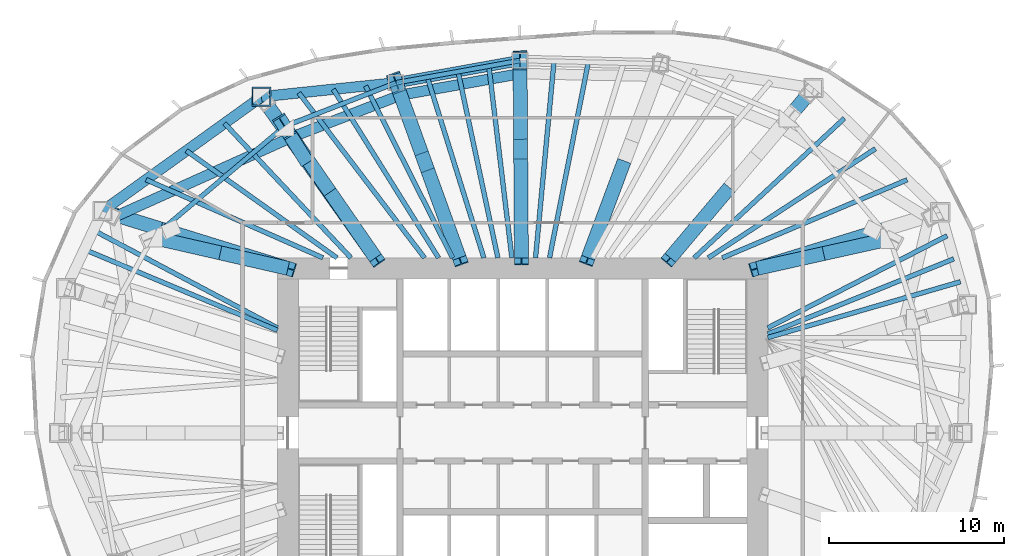
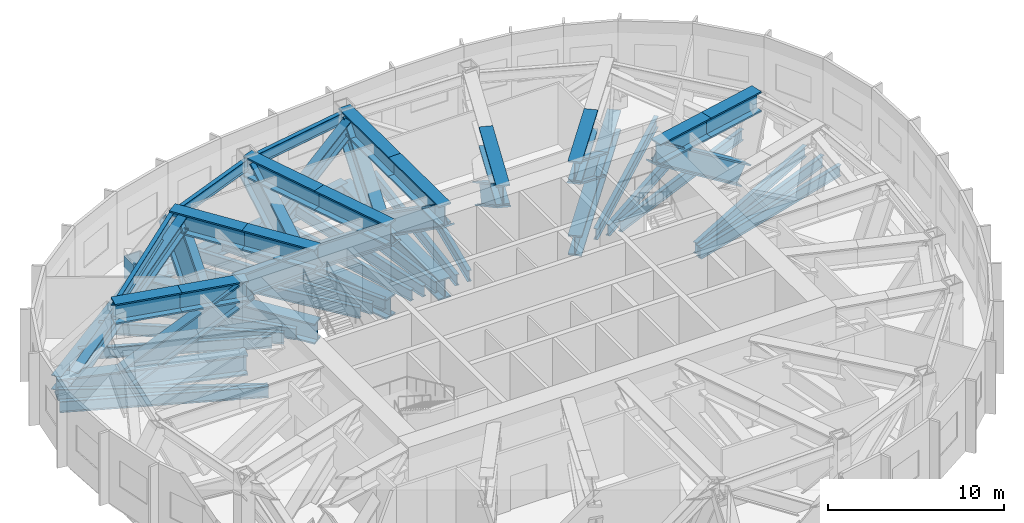
# One storey, part 4 of 11: 34 members, 22 beams.
"""IFC4 building model written with IfcOpenShell, lengths in metres."""

from ifc_helpers import new_model, si_unit, direction, frame, origin, origin_2d, place, context, subcontext, project, spatial, hollow_rectangle, i_section, extrude, material, material_profile, profile_set, type_object, element, save


model = new_model("IFC4")

# Units and contexts
model_context = context("Model", 3, precision=1e-05, world=origin(), true_north=direction((0.0, 1.0)))
body_context = subcontext(model_context, "Body", "Model", "MODEL_VIEW")
ifc_project = project(units=[si_unit("LENGTHUNIT", "METRE"), si_unit("AREAUNIT", "SQUARE_METRE"), si_unit("VOLUMEUNIT", "CUBIC_METRE"), si_unit("PLANEANGLEUNIT", "RADIAN"), si_unit("MASSUNIT", "GRAM", prefix="KILO")], contexts=[model_context])

# Site, building, storey
site_placement = place(None, origin())
site = spatial("IfcSite", under=ifc_project, at=site_placement, CompositionType="ELEMENT")
building_placement = place(site_placement, origin())
building = spatial("IfcBuilding", under=site, at=building_placement, Name="Ghaith Harvest Tower", CompositionType="ELEMENT")
storey_placement = place(building_placement, frame((0.0, 0.0, 266.199951171875)))
storey = spatial("IfcBuildingStorey", under=building, at=storey_placement, Name="L59", CompositionType="ELEMENT", Elevation=266.199951171875)

# Members
ifc_material_1 = material(Name="Steel ASTM A992 Grade 50", Category="steel")
ifc_material_profile_1 = material_profile(ifc_material_1, i_section(OverallWidth=0.26806640625, OverallDepth=0.77001953125, WebThickness=0.015625, FlangeThickness=0.025390625, at=origin_2d()), Name="W760X196")
ifc_profile_set_1 = profile_set([ifc_material_profile_1], Name="Steel ASTM A992 Grade 50")
member_type_1 = type_object("IfcMemberType", Name="BC760-196 W760X196", PredefinedType="CHORD", material=ifc_profile_set_1)
member_1_placement = place(storey_placement, frame((-0.14599609375, 21.27099609375, 4.130126953125), z_axis=(-0.984177047684, -0.177187863051, 0.0), x_axis=(0.177187863051, -0.984177047684, 0.0)))
element("IfcMember", 1, at=member_1_placement, inside=storey, type_object=member_type_1, Name="Belt truss BT06 top chord", PredefinedType="CHORD", context=body_context, shape_type="SweptSolid", body=[
    extrude(i_section(OverallWidth=0.26806640625, OverallDepth=0.77001953125, WebThickness=0.015625, FlangeThickness=0.025390625, at=origin_2d()), origin(), (0.0, 0.0, 1.0), 7.189697265625),
])
member_2_placement = place(storey_placement, frame((-7.221923828125, 19.9970703125, 4.130126953125), z_axis=(-0.931322768207, -0.364194867371, 0.0), x_axis=(0.364194867371, -0.931322768207, 0.0)))
element("IfcMember", 2, at=member_2_placement, inside=storey, type_object=member_type_1, Name="Belt truss BT07 top chord", PredefinedType="CHORD", context=body_context, shape_type="SweptSolid", body=[
    extrude(i_section(OverallWidth=0.26806640625, OverallDepth=0.77001953125, WebThickness=0.015625, FlangeThickness=0.025390625, at=origin_2d()), origin(), (0.0, 0.0, 1.0), 6.843017578125),
])
member_3_placement = place(storey_placement, frame((-13.594970703125, 17.5048828125, 4.130126953125), z_axis=(-0.765021818761, -0.64400436087, 0.0), x_axis=(0.64400436087, -0.765021818761, 0.0)))
element("IfcMember", 3, at=member_3_placement, inside=storey, type_object=member_type_1, Name="Belt truss BT08 top chord", PredefinedType="CHORD", context=body_context, shape_type="SweptSolid", body=[
    extrude(i_section(OverallWidth=0.26806640625, OverallDepth=0.77001953125, WebThickness=0.015625, FlangeThickness=0.025390625, at=origin_2d()), origin(), (0.0, 0.0, 1.0), 9.8427734375),
])
ifc_material_2 = material(Name="Steel S460", Category="steel")
ifc_material_profile_2 = material_profile(ifc_material_2, i_section(OverallWidth=0.60009765625, OverallDepth=0.89990234375, WebThickness=0.031982421875, FlangeThickness=0.06396484375, at=origin_2d()), Name="PG900X600X32X64")
ifc_profile_set_2 = profile_set([ifc_material_profile_2], Name="Steel S460")
member_type_2 = type_object("IfcMemberType", Name="BD900 PG900X600X32X64", PredefinedType="BRACE", material=ifc_profile_set_2)
member_4_placement = place(storey_placement, frame((-0.140869140625, 20.52099609375, 4.130126953125), z_axis=(-0.79126015842, -0.142512290612, -0.594640739204), x_axis=(0.177255958658, -0.984164785552, 0.0)))
element("IfcMember", 4, at=member_4_placement, inside=storey, type_object=member_type_2, Name="Belt truss BT06 diagonal", PredefinedType="BRACE", context=body_context, shape_type="SweptSolid", body=[
    extrude(i_section(OverallWidth=0.60009765625, OverallDepth=0.89990234375, WebThickness=0.031982421875, FlangeThickness=0.06396484375, at=origin_2d()), origin(), (0.0, 0.0, 1.0), 8.627197265625),
])
member_5_placement = place(storey_placement, frame((-6.96728515625, 19.29150390625, -1.0), z_axis=(-0.737088147301, -0.284296675268, 0.613087647518), x_axis=(0.359862423583, -0.933005378384, 0.0)))
element("IfcMember", 5, at=member_5_placement, inside=storey, type_object=member_type_2, Name="Belt truss BT07 diagonal", PredefinedType="BRACE", context=body_context, shape_type="SweptSolid", body=[
    extrude(i_section(OverallWidth=0.60009765625, OverallDepth=0.89990234375, WebThickness=0.031982421875, FlangeThickness=0.06396484375, at=origin_2d()), origin(), (0.0, 0.0, 1.0), 8.36767578125),
])
member_6_placement = place(storey_placement, frame((-13.135009765625, 16.91259765625, 4.130126953125), z_axis=(-0.82870974167, -0.372969030873, -0.417293980391), x_axis=(0.410410108025, -0.911901060001, 0.0)))
element("IfcMember", 6, at=member_6_placement, inside=storey, type_object=member_type_2, Name="Belt truss BT08 diagonal", PredefinedType="BRACE", context=body_context, shape_type="SweptSolid", body=[
    extrude(i_section(OverallWidth=0.60009765625, OverallDepth=0.89990234375, WebThickness=0.031982421875, FlangeThickness=0.06396484375, at=origin_2d()), origin(), (0.0, 0.0, 1.0), 12.293701171875),
])

# Beams
ifc_material_3 = material(Name="Steel S460", Category="steel")
ifc_material_profile_3 = material_profile(ifc_material_3, i_section(OverallWidth=0.60009765625, OverallDepth=1.0, WebThickness=0.02490234375, FlangeThickness=0.050048828125, at=origin_2d()), Name="PG1000X600X25X50")
ifc_profile_set_3 = profile_set([ifc_material_profile_3], Name="Steel S460")
beam_type_1 = type_object("IfcBeamType", Name="EPG1000 PG1000X600X25X50", PredefinedType="SPANDREL", material=ifc_profile_set_3)
beam_1_placement = place(storey_placement, frame((-0.14599609375, 21.27099609375, -0.800048828125), z_axis=(-0.984177047684, -0.177187863051, 0.0), x_axis=(0.177187863051, -0.984177047684, 0.0)))
element("IfcBeam", 7, at=beam_1_placement, inside=storey, type_object=beam_type_1, Name="Edge beam E06 L59", PredefinedType="SPANDREL", context=body_context, shape_type="SweptSolid", body=[
    extrude(i_section(OverallWidth=0.60009765625, OverallDepth=1.0, WebThickness=0.02490234375, FlangeThickness=0.050048828125, at=origin_2d()), origin(), (0.0, 0.0, 1.0), 7.189697265625),
])
beam_2_placement = place(storey_placement, frame((-7.221923828125, 19.9970703125, -0.800048828125), z_axis=(-0.994669141618, -0.103117887451, 0.0), x_axis=(0.103117887451, -0.994669141618, 0.0)))
element("IfcBeam", 8, at=beam_2_placement, inside=storey, type_object=beam_type_1, Name="Edge beam E07 L59", PredefinedType="SPANDREL", context=body_context, shape_type="SweptSolid", body=[
    extrude(i_section(OverallWidth=0.60009765625, OverallDepth=1.0, WebThickness=0.02490234375, FlangeThickness=0.050048828125, at=origin_2d()), origin(), (0.0, 0.0, 1.0), 7.730224609375),
])
beam_3_placement = place(storey_placement, frame((-14.910888671875, 19.199951171875, -0.800048828125), z_axis=(-0.812050311838, -0.583587432219, 0.0), x_axis=(0.583587432219, -0.812050311838, 0.0)))
element("IfcBeam", 9, at=beam_3_placement, inside=storey, type_object=beam_type_1, Name="Edge beam E08 L59", PredefinedType="SPANDREL", context=body_context, shape_type="SweptSolid", body=[
    extrude(i_section(OverallWidth=0.60009765625, OverallDepth=1.0, WebThickness=0.02490234375, FlangeThickness=0.050048828125, at=origin_2d()), origin(), (0.0, 0.0, 1.0), 11.175537109375),
])
ifc_material_4 = material(Name="Steel ASTM A992 Grade 50", Category="steel")
ifc_material_profile_4 = material_profile(ifc_material_4, i_section(OverallWidth=0.26806640625, OverallDepth=0.77001953125, WebThickness=0.015625, FlangeThickness=0.025390625, at=origin_2d()), Name="W760X196")
ifc_profile_set_4 = profile_set([ifc_material_profile_4], Name="Steel ASTM A992 Grade 50")
beam_type_2 = type_object("IfcBeamType", Name="J760-196 W760X196", PredefinedType="JOIST", material=ifc_profile_set_4)
beam_4_placement = place(storey_placement, frame((14.0, 5.4462890625, -0.68505859375), z_axis=(0.960451827804, 0.278446200311, 0.0), x_axis=(-0.278446200311, 0.960451827804, 0.0)))
element("IfcBeam", 10, at=beam_4_placement, inside=storey, type_object=beam_type_2, Name="Joist J02.1 L59", PredefinedType="JOIST", context=body_context, shape_type="SweptSolid", body=[
    extrude(i_section(OverallWidth=0.26806640625, OverallDepth=0.77001953125, WebThickness=0.015625, FlangeThickness=0.025390625, at=origin_2d()), origin(), (0.0, 0.0, 1.0), 11.45458984375),
])
beam_5_placement = place(storey_placement, frame((14.0, 5.653564453125, -0.68505859375), z_axis=(0.927250374508, 0.37444190868, 0.0), x_axis=(-0.37444190868, 0.927250374508, 0.0)))
element("IfcBeam", 11, at=beam_5_placement, inside=storey, type_object=beam_type_2, Name="Joist J02.2 L59", PredefinedType="JOIST", context=body_context, shape_type="SweptSolid", body=[
    extrude(i_section(OverallWidth=0.26806640625, OverallDepth=0.77001953125, WebThickness=0.015625, FlangeThickness=0.025390625, at=origin_2d()), origin(), (0.0, 0.0, 1.0), 11.45654296875),
])
beam_6_placement = place(storey_placement, frame((14.0, 6.0, -0.68505859375), z_axis=(0.889345695298, 0.457235425416, 0.0), x_axis=(-0.457235425416, 0.889345695298, 0.0)))
element("IfcBeam", 12, at=beam_6_placement, inside=storey, type_object=beam_type_2, Name="Joist J02.3 L59", PredefinedType="JOIST", context=body_context, shape_type="SweptSolid", body=[
    extrude(i_section(OverallWidth=0.26806640625, OverallDepth=0.77001953125, WebThickness=0.015625, FlangeThickness=0.025390625, at=origin_2d()), origin(), (0.0, 0.0, 1.0), 11.5146484375),
])
beam_7_placement = place(storey_placement, frame((11.39990234375, 10.0, -0.68505859375), z_axis=(0.92127415213, 0.388913790727, 0.0), x_axis=(-0.388913790727, 0.92127415213, 0.0)))
element("IfcBeam", 13, at=beam_7_placement, inside=storey, type_object=beam_type_2, Name="Joist J03.1 L59", PredefinedType="JOIST", context=body_context, shape_type="SweptSolid", body=[
    extrude(i_section(OverallWidth=0.26806640625, OverallDepth=0.77001953125, WebThickness=0.015625, FlangeThickness=0.025390625, at=origin_2d()), origin(), (0.0, 0.0, 1.0), 11.462646484375),
])
beam_8_placement = place(storey_placement, frame((10.60009765625, 10.0, -0.68505859375), z_axis=(0.837329320942, 0.546698827775, 0.0), x_axis=(-0.546698827775, 0.837329320942, 0.0)))
element("IfcBeam", 14, at=beam_8_placement, inside=storey, type_object=beam_type_2, Name="Joist J03.2 L59", PredefinedType="JOIST", context=body_context, shape_type="SweptSolid", body=[
    extrude(i_section(OverallWidth=0.26806640625, OverallDepth=0.77001953125, WebThickness=0.015625, FlangeThickness=0.025390625, at=origin_2d()), origin(), (0.0, 0.0, 1.0), 11.40087890625),
])
beam_9_placement = place(storey_placement, frame((9.800048828125, 10.0, -0.68505859375), z_axis=(0.732519288302, 0.680746275984, 0.0), x_axis=(-0.680746275984, 0.732519288302, 0.0)))
element("IfcBeam", 15, at=beam_9_placement, inside=storey, type_object=beam_type_2, Name="Joist J03.3 L59", PredefinedType="JOIST", context=body_context, shape_type="SweptSolid", body=[
    extrude(i_section(OverallWidth=0.26806640625, OverallDepth=0.77001953125, WebThickness=0.015625, FlangeThickness=0.025390625, at=origin_2d()), origin(), (0.0, 0.0, 1.0), 11.7041015625),
])
beam_10_placement = place(storey_placement, frame((1.538330078125, 10.0, -0.68505859375), z_axis=(0.194467299131, 0.980909001676, 0.0), x_axis=(-0.980909001676, 0.194467299131, 0.0)))
element("IfcBeam", 16, at=beam_10_placement, inside=storey, type_object=beam_type_2, Name="Joist J05.2 L59", PredefinedType="JOIST", context=body_context, shape_type="SweptSolid", body=[
    extrude(i_section(OverallWidth=0.26806640625, OverallDepth=0.77001953125, WebThickness=0.015625, FlangeThickness=0.025390625, at=origin_2d()), origin(), (0.0, 0.0, 1.0), 11.391845703125),
])
beam_11_placement = place(storey_placement, frame((0.73828125, 10.0, -0.68505859375), z_axis=(0.093607062293, 0.995609219468, 0.0), x_axis=(-0.995609219468, 0.093607062293, 0.0)))
element("IfcBeam", 17, at=beam_11_placement, inside=storey, type_object=beam_type_2, Name="Joist J05.3 L59", PredefinedType="JOIST", context=body_context, shape_type="SweptSolid", body=[
    extrude(i_section(OverallWidth=0.26806640625, OverallDepth=0.77001953125, WebThickness=0.015625, FlangeThickness=0.025390625, at=origin_2d()), origin(), (0.0, 0.0, 1.0), 11.2724609375),
])
beam_12_placement = place(storey_placement, frame((-0.61181640625, 10.0, -0.68505859375), z_axis=(-0.119358199903, 0.9928512578, 0.0), x_axis=(-0.9928512578, -0.119358199903, 0.0)))
element("IfcBeam", 18, at=beam_12_placement, inside=storey, type_object=beam_type_2, Name="Joist J06.1 L59", PredefinedType="JOIST", context=body_context, shape_type="SweptSolid", body=[
    extrude(i_section(OverallWidth=0.26806640625, OverallDepth=0.77001953125, WebThickness=0.015625, FlangeThickness=0.025390625, at=origin_2d()), origin(), (0.0, 0.0, 1.0), 11.029052734375),
])
beam_13_placement = place(storey_placement, frame((-1.411865234375, 10.0, -0.68505859375), z_axis=(-0.209026140978, 0.977910053322, 0.0), x_axis=(-0.977910053322, -0.209026140978, 0.0)))
element("IfcBeam", 19, at=beam_13_placement, inside=storey, type_object=beam_type_2, Name="Joist J06.2 L59", PredefinedType="JOIST", context=body_context, shape_type="SweptSolid", body=[
    extrude(i_section(OverallWidth=0.26806640625, OverallDepth=0.77001953125, WebThickness=0.015625, FlangeThickness=0.025390625, at=origin_2d()), origin(), (0.0, 0.0, 1.0), 10.8740234375),
])
beam_14_placement = place(storey_placement, frame((-2.2119140625, 10.0, -0.68505859375), z_axis=(-0.298674860327, 0.954354927587, 0.0), x_axis=(-0.954354927587, -0.298674860327, 0.0)))
element("IfcBeam", 20, at=beam_14_placement, inside=storey, type_object=beam_type_2, Name="Joist J06.3 L59", PredefinedType="JOIST", context=body_context, shape_type="SweptSolid", body=[
    extrude(i_section(OverallWidth=0.26806640625, OverallDepth=0.77001953125, WebThickness=0.015625, FlangeThickness=0.025390625, at=origin_2d()), origin(), (0.0, 0.0, 1.0), 10.81103515625),
])
beam_15_placement = place(storey_placement, frame((-4.0, 10.0, -0.68505859375), z_axis=(-0.451646219201, 0.892197115374, 0.0), x_axis=(-0.892197115374, -0.451646219201, 0.0)))
element("IfcBeam", 21, at=beam_15_placement, inside=storey, type_object=beam_type_2, Name="Joist J07.1 L59", PredefinedType="JOIST", context=body_context, shape_type="SweptSolid", body=[
    extrude(i_section(OverallWidth=0.26806640625, OverallDepth=0.77001953125, WebThickness=0.015625, FlangeThickness=0.025390625, at=origin_2d()), origin(), (0.0, 0.0, 1.0), 11.001953125),
])
beam_16_placement = place(storey_placement, frame((-4.800048828125, 10.0, -0.68505859375), z_axis=(-0.529627564093, 0.848230300893, 0.0), x_axis=(-0.848230300893, -0.529627564093, 0.0)))
element("IfcBeam", 22, at=beam_16_placement, inside=storey, type_object=beam_type_2, Name="Joist J07.2 L59", PredefinedType="JOIST", context=body_context, shape_type="SweptSolid", body=[
    extrude(i_section(OverallWidth=0.26806640625, OverallDepth=0.77001953125, WebThickness=0.015625, FlangeThickness=0.025390625, at=origin_2d()), origin(), (0.0, 0.0, 1.0), 11.34716796875),
])
beam_17_placement = place(storey_placement, frame((-5.60009765625, 10.0, -0.68505859375), z_axis=(-0.605976135502, 0.795482823952, 0.0), x_axis=(-0.795482823952, -0.605976135502, 0.0)))
element("IfcBeam", 23, at=beam_17_placement, inside=storey, type_object=beam_type_2, Name="Joist J07.3 L59", PredefinedType="JOIST", context=body_context, shape_type="SweptSolid", body=[
    extrude(i_section(OverallWidth=0.26806640625, OverallDepth=0.77001953125, WebThickness=0.015625, FlangeThickness=0.025390625, at=origin_2d()), origin(), (0.0, 0.0, 1.0), 11.84326171875),
])
beam_18_placement = place(storey_placement, frame((-9.800048828125, 10.0, -0.68505859375), z_axis=(-0.68496015818, 0.728580525203, 0.0), x_axis=(-0.728580525203, -0.68496015818, 0.0)))
element("IfcBeam", 24, at=beam_18_placement, inside=storey, type_object=beam_type_2, Name="Joist J08.1 L59", PredefinedType="JOIST", context=body_context, shape_type="SweptSolid", body=[
    extrude(i_section(OverallWidth=0.26806640625, OverallDepth=0.77001953125, WebThickness=0.015625, FlangeThickness=0.025390625, at=origin_2d()), origin(), (0.0, 0.0, 1.0), 10.544677734375),
])
beam_19_placement = place(storey_placement, frame((-10.60009765625, 10.0, -0.68505859375), z_axis=(-0.814837070547, 0.579690045164, 0.0), x_axis=(-0.579690045164, -0.814837070547, 0.0)))
element("IfcBeam", 25, at=beam_19_placement, inside=storey, type_object=beam_type_2, Name="Joist J08.2 L59", PredefinedType="JOIST", context=body_context, shape_type="SweptSolid", body=[
    extrude(i_section(OverallWidth=0.26806640625, OverallDepth=0.77001953125, WebThickness=0.015625, FlangeThickness=0.025390625, at=origin_2d()), origin(), (0.0, 0.0, 1.0), 10.5537109375),
])
beam_20_placement = place(storey_placement, frame((-11.39990234375, 10.0, -0.68505859375), z_axis=(-0.914561290029, 0.40444733499, 0.0), x_axis=(-0.40444733499, -0.914561290029, 0.0)))
element("IfcBeam", 26, at=beam_20_placement, inside=storey, type_object=beam_type_2, Name="Joist J08.3 L59", PredefinedType="JOIST", context=body_context, shape_type="SweptSolid", body=[
    extrude(i_section(OverallWidth=0.26806640625, OverallDepth=0.77001953125, WebThickness=0.015625, FlangeThickness=0.025390625, at=origin_2d()), origin(), (0.0, 0.0, 1.0), 11.041748046875),
])
beam_21_placement = place(storey_placement, frame((-14.0, 6.0, -0.68505859375), z_axis=(-0.883192517405, 0.469010636553, 0.0), x_axis=(-0.469010636553, -0.883192517405, 0.0)))
element("IfcBeam", 27, at=beam_21_placement, inside=storey, type_object=beam_type_2, Name="Joist J09.1 L59", PredefinedType="JOIST", context=body_context, shape_type="SweptSolid", body=[
    extrude(i_section(OverallWidth=0.26806640625, OverallDepth=0.77001953125, WebThickness=0.015625, FlangeThickness=0.025390625, at=origin_2d()), origin(), (0.0, 0.0, 1.0), 11.893310546875),
])
beam_22_placement = place(storey_placement, frame((-14.0, 5.862548828125, -0.68505859375), z_axis=(-0.922380898158, 0.386281605455, 0.0), x_axis=(-0.386281605455, -0.922380898158, 0.0)))
element("IfcBeam", 28, at=beam_22_placement, inside=storey, type_object=beam_type_2, Name="Joist J09.2 L59", PredefinedType="JOIST", context=body_context, shape_type="SweptSolid", body=[
    extrude(i_section(OverallWidth=0.26806640625, OverallDepth=0.77001953125, WebThickness=0.015625, FlangeThickness=0.025390625, at=origin_2d()), origin(), (0.0, 0.0, 1.0), 11.94970703125),
])

# Members
ifc_material_5 = material(Name="Steel S460M", Category="steel")
ifc_material_profile_5 = material_profile(ifc_material_5, hollow_rectangle(XDim=1.10009765625, YDim=1.10009765625, WallThickness=0.080078125, at=origin_2d()), Name="BOX1100X1100X80")
ifc_profile_set_5 = profile_set([ifc_material_profile_5], Name="Steel S460M")
member_type_3 = type_object("IfcMemberType", Name="KN1 BOX1100X1100X80", PredefinedType="USERDEFINED", material=ifc_profile_set_5)
member_7_placement = place(storey_placement, frame((-14.910888671875, 19.199951171875, -0.77490234375), z_axis=(0.0, 0.0, 1.0), x_axis=(1.0, 0.0, 0.0)))
element("IfcMember", 29, at=member_7_placement, inside=storey, type_object=member_type_3, Name="Raked column kink node C08 base L59", ObjectType="KINK NODE", PredefinedType="USERDEFINED", context=body_context, shape_type="SweptSolid", body=[
    extrude(hollow_rectangle(XDim=1.10009765625, YDim=1.10009765625, WallThickness=0.080078125, at=origin_2d()), origin(), (0.0, 0.0, 1.0), 1.550048828125),
])
ifc_material_6 = material(Name="Steel S460", Category="steel")
ifc_material_profile_6 = material_profile(ifc_material_6, i_section(OverallWidth=0.800048828125, OverallDepth=1.39990234375, WebThickness=0.050048828125, FlangeThickness=0.10009765625, at=origin_2d()), Name="PG1400X800X50X100")
ifc_profile_set_6 = profile_set([ifc_material_profile_6], Name="Steel S460")
member_type_4 = type_object("IfcMemberType", Name="OC1400 PG1400X800X50X100", PredefinedType="CHORD", material=ifc_profile_set_6)
for number, where, z_axis, x_axis, name in (
    (30, (13.39990234375, 9.39990234375, 4.130126953125), (0.976072966565, 0.217443243035, 0.0), (-0.217443243035, 0.976072966565, 0.0), "Outrigger truss OT03 top chord 1"),
    (31, (17.1884765625, 10.243896484375, 4.130126953125), (0.976072966565, 0.217443243035, 0.0), (-0.217443243035, 0.976072966565, 0.0), "Outrigger truss OT03 top chord 2"),
):
    element("IfcMember", number, at=place(storey_placement, frame(where, z_axis=z_axis, x_axis=x_axis)), inside=storey, type_object=member_type_4, Name=name, PredefinedType="CHORD", context=body_context, shape_type="SweptSolid", body=[
        extrude(i_section(OverallWidth=0.800048828125, OverallDepth=1.39990234375, WebThickness=0.050048828125, FlangeThickness=0.10009765625, at=origin_2d()), origin(), (0.0, 0.0, 1.0), 3.88134765625),
    ])
member_8_placement = place(storey_placement, frame((8.4326171875, 10.0, -1.0), z_axis=(0.644644245772, 0.764482698557, 0.0), x_axis=(-0.764482698557, 0.644644245772, 0.0)))
element("IfcMember", 32, at=member_8_placement, inside=storey, type_object=member_type_4, Name="Outrigger truss OT04 bottom chord", PredefinedType="CHORD", context=body_context, shape_type="SweptSolid", body=[
    extrude(i_section(OverallWidth=0.800048828125, OverallDepth=1.39990234375, WebThickness=0.050048828125, FlangeThickness=0.10009765625, at=origin_2d()), origin(), (0.0, 0.0, 1.0), 12.681884765625),
])
member_9_placement = place(storey_placement, frame((8.4326171875, 10.0, 4.130126953125), z_axis=(0.644662835997, 0.764467022104, 0.0), x_axis=(-0.764467022104, 0.644662835997, 0.0)))
element("IfcMember", 33, at=member_9_placement, inside=storey, type_object=member_type_4, Name="Outrigger truss OT04 top chord 1", PredefinedType="CHORD", context=body_context, shape_type="SweptSolid", body=[
    extrude(i_section(OverallWidth=0.800048828125, OverallDepth=1.39990234375, WebThickness=0.050048828125, FlangeThickness=0.10009765625, at=origin_2d()), origin(), (0.0, 0.0, 1.0), 5.247314453125),
])
member_10_placement = place(storey_placement, frame((3.73828125, 10.0, 4.130126953125), z_axis=(0.350213357326, 0.936669954867, 0.0), x_axis=(-0.936669954867, 0.350213357326, 0.0)))
element("IfcMember", 34, at=member_10_placement, inside=storey, type_object=member_type_4, Name="Outrigger truss OT05 top chord 1", PredefinedType="CHORD", context=body_context, shape_type="SweptSolid", body=[
    extrude(i_section(OverallWidth=0.800048828125, OverallDepth=1.39990234375, WebThickness=0.050048828125, FlangeThickness=0.10009765625, at=origin_2d()), origin(), (0.0, 0.0, 1.0), 5.91015625),
])
member_11_placement = place(storey_placement, frame((-0.068359375, 10.0, -1.0), z_axis=(-0.006888022705, 0.99997627729, 0.0), x_axis=(-0.99997627729, -0.006888022705, 0.0)))
element("IfcMember", 35, at=member_11_placement, inside=storey, type_object=member_type_4, Name="Outrigger truss OT06 bottom chord", PredefinedType="CHORD", context=body_context, shape_type="SweptSolid", body=[
    extrude(i_section(OverallWidth=0.800048828125, OverallDepth=1.39990234375, WebThickness=0.050048828125, FlangeThickness=0.10009765625, at=origin_2d()), origin(), (0.0, 0.0, 1.0), 11.271240234375),
])
for number, where, z_axis, x_axis, name in (
    (36, (-0.068359375, 10.0, 4.130126953125), (-0.006888022705, 0.99997627729, 0.0), (-0.99997627729, -0.006888022705, 0.0), "Outrigger truss OT06 top chord 1"),
    (37, (-0.107177734375, 15.635498046875, 4.130126953125), (-0.006888022705, 0.99997627729, 0.0), (-0.99997627729, -0.006888022705, 0.0), "Outrigger truss OT06 top chord 2"),
):
    element("IfcMember", number, at=place(storey_placement, frame(where, z_axis=z_axis, x_axis=x_axis)), inside=storey, type_object=member_type_4, Name=name, PredefinedType="CHORD", context=body_context, shape_type="SweptSolid", body=[
        extrude(i_section(OverallWidth=0.800048828125, OverallDepth=1.39990234375, WebThickness=0.050048828125, FlangeThickness=0.10009765625, at=origin_2d()), origin(), (0.0, 0.0, 1.0), 5.6357421875),
    ])
member_12_placement = place(storey_placement, frame((-3.61181640625, 10.0, -1.0), z_axis=(-0.339648979266, 0.940552269086, 0.0), x_axis=(-0.940552269086, -0.339648979266, 0.0)))
element("IfcMember", 38, at=member_12_placement, inside=storey, type_object=member_type_4, Name="Outrigger truss OT07 bottom chord", PredefinedType="CHORD", context=body_context, shape_type="SweptSolid", body=[
    extrude(i_section(OverallWidth=0.800048828125, OverallDepth=1.39990234375, WebThickness=0.050048828125, FlangeThickness=0.10009765625, at=origin_2d()), origin(), (0.0, 0.0, 1.0), 10.62890625),
])
for number, where, z_axis, x_axis, name in (
    (39, (-3.61181640625, 10.0, 4.130126953125), (-0.339669298673, 0.940544931164, 0.0), (-0.940544931164, -0.339669298673, 0.0), "Outrigger truss OT07 top chord 1"),
    (40, (-5.4169921875, 14.99853515625, 4.130126953125), (-0.339628659383, 0.940559606684, 0.0), (-0.940559606684, -0.339628659383, 0.0), "Outrigger truss OT07 top chord 2"),
):
    element("IfcMember", number, at=place(storey_placement, frame(where, z_axis=z_axis, x_axis=x_axis)), inside=storey, type_object=member_type_4, Name=name, PredefinedType="CHORD", context=body_context, shape_type="SweptSolid", body=[
        extrude(i_section(OverallWidth=0.800048828125, OverallDepth=1.39990234375, WebThickness=0.050048828125, FlangeThickness=0.10009765625, at=origin_2d()), origin(), (0.0, 0.0, 1.0), 5.314453125),
    ])
member_13_placement = place(storey_placement, frame((-8.39990234375, 10.0, -1.0), z_axis=(-0.577683734365, 0.816260683268, 0.0), x_axis=(-0.816260683268, -0.577683734365, 0.0)))
element("IfcMember", 41, at=member_13_placement, inside=storey, type_object=member_type_4, Name="Outrigger truss OT08 bottom chord", PredefinedType="CHORD", context=body_context, shape_type="SweptSolid", body=[
    extrude(i_section(OverallWidth=0.800048828125, OverallDepth=1.39990234375, WebThickness=0.050048828125, FlangeThickness=0.10009765625, at=origin_2d()), origin(), (0.0, 0.0, 1.0), 11.270751953125),
])
for number, where, z_axis, x_axis, name in (
    (42, (-8.39990234375, 10.0, 4.130126953125), (-0.569182161331, 0.822211449216, 0.0), (-0.822211449216, -0.569182161331, 0.0), "Outrigger truss OT08 top chord 1"),
    (43, (-10.99755859375, 13.75244140625, 4.130126953125), (-0.56914599566, 0.822236484002, 0.0), (-0.822236484002, -0.56914599566, 0.0), "Outrigger truss OT08 top chord 2"),
):
    element("IfcMember", number, at=place(storey_placement, frame(where, z_axis=z_axis, x_axis=x_axis)), inside=storey, type_object=member_type_4, Name=name, PredefinedType="CHORD", context=body_context, shape_type="SweptSolid", body=[
        extrude(i_section(OverallWidth=0.800048828125, OverallDepth=1.39990234375, WebThickness=0.050048828125, FlangeThickness=0.10009765625, at=origin_2d()), origin(), (0.0, 0.0, 1.0), 4.563720703125),
    ])
member_14_placement = place(storey_placement, frame((-13.39990234375, 9.39990234375, -1.0), z_axis=(-0.9552501773, 0.295799085137, 0.0), x_axis=(-0.295799085137, -0.9552501773, 0.0)))
element("IfcMember", 44, at=member_14_placement, inside=storey, type_object=member_type_4, Name="Outrigger truss OT09 bottom chord", PredefinedType="CHORD", context=body_context, shape_type="SweptSolid", body=[
    extrude(i_section(OverallWidth=0.800048828125, OverallDepth=1.39990234375, WebThickness=0.050048828125, FlangeThickness=0.10009765625, at=origin_2d()), origin(), (0.0, 0.0, 1.0), 11.08203125),
])
for number, where, z_axis, x_axis, name in (
    (45, (-13.39990234375, 9.39990234375, 4.130126953125), (-0.974848180196, 0.222869974576, 0.0), (-0.222869974576, -0.974848180196, 0.0), "Outrigger truss OT09 top chord 1"),
    (46, (-17.262451171875, 10.282958984375, 4.130126953125), (-0.974848180196, 0.222869974576, 0.0), (-0.222869974576, -0.974848180196, 0.0), "Outrigger truss OT09 top chord 2"),
):
    element("IfcMember", number, at=place(storey_placement, frame(where, z_axis=z_axis, x_axis=x_axis)), inside=storey, type_object=member_type_4, Name=name, PredefinedType="CHORD", context=body_context, shape_type="SweptSolid", body=[
        extrude(i_section(OverallWidth=0.800048828125, OverallDepth=1.39990234375, WebThickness=0.050048828125, FlangeThickness=0.10009765625, at=origin_2d()), origin(), (0.0, 0.0, 1.0), 3.962158203125),
    ])
ifc_material_7 = material(Name="Steel S460", Category="steel")
ifc_material_profile_7 = material_profile(ifc_material_7, i_section(OverallWidth=0.800048828125, OverallDepth=1.39990234375, WebThickness=0.050048828125, FlangeThickness=0.10009765625, at=origin_2d()), Name="PG1400X800X50X100")
ifc_profile_set_7 = profile_set([ifc_material_profile_7], Name="Steel S460")
member_type_5 = type_object("IfcMemberType", Name="OD1400 PG1400X800X50X100", PredefinedType="BRACE", material=ifc_profile_set_7)
member_15_placement = place(storey_placement, frame((13.39990234375, 9.39990234375, 4.130126953125), z_axis=(0.775138686581, 0.237850698746, -0.585309372615), x_axis=(-0.293349470124, 0.956005276334, 0.0)))
element("IfcMember", 47, at=member_15_placement, inside=storey, type_object=member_type_5, Name="Outrigger truss OT03 diagonal 1", PredefinedType="BRACE", context=body_context, shape_type="SweptSolid", body=[
    extrude(i_section(OverallWidth=0.800048828125, OverallDepth=1.39990234375, WebThickness=0.050048828125, FlangeThickness=0.10009765625, at=origin_2d()), origin(), (0.0, 0.0, 1.0), 8.764892578125),
])
member_16_placement = place(storey_placement, frame((8.4326171875, 10.0, 4.130126953125), z_axis=(0.547312292576, 0.649050119267, -0.528377892304), x_axis=(-0.764479392767, 0.644648166084, 0.0)))
element("IfcMember", 48, at=member_16_placement, inside=storey, type_object=member_type_5, Name="Outrigger truss OT04 diagonal 1", PredefinedType="BRACE", context=body_context, shape_type="SweptSolid", body=[
    extrude(i_section(OverallWidth=0.800048828125, OverallDepth=1.39990234375, WebThickness=0.050048828125, FlangeThickness=0.10009765625, at=origin_2d()), origin(), (0.0, 0.0, 1.0), 9.709228515625),
])
member_17_placement = place(storey_placement, frame((3.73828125, 10.0, 4.130126953125), z_axis=(0.291267115447, 0.778984941857, -0.555289048892), x_axis=(-0.936665649404, 0.35022487237, 0.0)))
element("IfcMember", 49, at=member_17_placement, inside=storey, type_object=member_type_5, Name="Outrigger truss OT05 diagonal 1", PredefinedType="BRACE", context=body_context, shape_type="SweptSolid", body=[
    extrude(i_section(OverallWidth=0.800048828125, OverallDepth=1.39990234375, WebThickness=0.050048828125, FlangeThickness=0.10009765625, at=origin_2d()), origin(), (0.0, 0.0, 1.0), 9.23876953125),
])
member_18_placement = place(storey_placement, frame((-0.068359375, 10.0, 4.130126953125), z_axis=(-0.005650448354, 0.819123933376, -0.573588750068), x_axis=(-0.99997620854, -0.006897996373, 0.0)))
element("IfcMember", 50, at=member_18_placement, inside=storey, type_object=member_type_5, Name="Outrigger truss OT06 diagonal 1", PredefinedType="BRACE", context=body_context, shape_type="SweptSolid", body=[
    extrude(i_section(OverallWidth=0.800048828125, OverallDepth=1.39990234375, WebThickness=0.050048828125, FlangeThickness=0.10009765625, at=origin_2d()), origin(), (0.0, 0.0, 1.0), 8.94384765625),
])
member_19_placement = place(storey_placement, frame((-0.118896484375, 17.326171875, -1.0), z_axis=(-0.004187518249, 0.60956684561, 0.792723612254), x_axis=(-0.999976404707, -0.006869499995, 0.0)))
element("IfcMember", 51, at=member_19_placement, inside=storey, type_object=member_type_5, Name="Outrigger truss OT06 diagonal 2", PredefinedType="BRACE", context=body_context, shape_type="SweptSolid", body=[
    extrude(i_section(OverallWidth=0.800048828125, OverallDepth=1.39990234375, WebThickness=0.050048828125, FlangeThickness=0.10009765625, at=origin_2d()), origin(), (0.0, 0.0, 1.0), 6.471435546875),
])
member_20_placement = place(storey_placement, frame((-3.61181640625, 10.0, 4.130126953125), z_axis=(-0.27270437162, 0.755128959117, -0.596164893971), x_axis=(-0.940546373631, -0.339665304454, 0.0)))
element("IfcMember", 52, at=member_20_placement, inside=storey, type_object=member_type_5, Name="Outrigger truss OT07 diagonal 1", PredefinedType="BRACE", context=body_context, shape_type="SweptSolid", body=[
    extrude(i_section(OverallWidth=0.800048828125, OverallDepth=1.39990234375, WebThickness=0.050048828125, FlangeThickness=0.10009765625, at=origin_2d()), origin(), (0.0, 0.0, 1.0), 8.605224609375),
])
member_21_placement = place(storey_placement, frame((-5.95849609375, 16.498046875, -1.0), z_axis=(-0.199373043391, 0.552157383165, 0.809550871647), x_axis=(-0.940563216999, -0.339618660896, 0.0)))
element("IfcMember", 53, at=member_21_placement, inside=storey, type_object=member_type_5, Name="Outrigger truss OT07 diagonal 2", PredefinedType="BRACE", context=body_context, shape_type="SweptSolid", body=[
    extrude(i_section(OverallWidth=0.800048828125, OverallDepth=1.39990234375, WebThickness=0.050048828125, FlangeThickness=0.10009765625, at=origin_2d()), origin(), (0.0, 0.0, 1.0), 6.3369140625),
])
member_22_placement = place(storey_placement, frame((-8.39990234375, 10.0, 4.130126953125), z_axis=(-0.473202326602, 0.668625196873, -0.57360256642), x_axis=(-0.816258882218, -0.577686279221, 0.0)))
element("IfcMember", 54, at=member_22_placement, inside=storey, type_object=member_type_5, Name="Outrigger truss OT08 diagonal 1", PredefinedType="BRACE", context=body_context, shape_type="SweptSolid", body=[
    extrude(i_section(OverallWidth=0.800048828125, OverallDepth=1.39990234375, WebThickness=0.050048828125, FlangeThickness=0.10009765625, at=origin_2d()), origin(), (0.0, 0.0, 1.0), 8.943603515625),
])
member_23_placement = place(storey_placement, frame((-12.632080078125, 15.97998046875, -1.0), z_axis=(-0.177070512086, 0.280421505702, 0.943403314012), x_axis=(-0.845540367687, -0.533911496983, 0.0)))
element("IfcMember", 55, at=member_23_placement, inside=storey, type_object=member_type_5, Name="Outrigger truss OT08 diagonal 2", PredefinedType="BRACE", context=body_context, shape_type="SweptSolid", body=[
    extrude(i_section(OverallWidth=0.800048828125, OverallDepth=1.39990234375, WebThickness=0.050048828125, FlangeThickness=0.10009765625, at=origin_2d()), origin(), (0.0, 0.0, 1.0), 5.43798828125),
])
member_24_placement = place(storey_placement, frame((-13.39990234375, 9.39990234375, 4.130126953125), z_axis=(-0.778093038844, 0.240950719994, -0.580098244642), x_axis=(-0.295809650267, -0.955246905679, 0.0)))
element("IfcMember", 56, at=member_24_placement, inside=storey, type_object=member_type_5, Name="Outrigger truss OT09 diagonal 1", PredefinedType="BRACE", context=body_context, shape_type="SweptSolid", body=[
    extrude(i_section(OverallWidth=0.800048828125, OverallDepth=1.39990234375, WebThickness=0.050048828125, FlangeThickness=0.10009765625, at=origin_2d()), origin(), (0.0, 0.0, 1.0), 8.843505859375),
])

save(model, "model.ifc")
